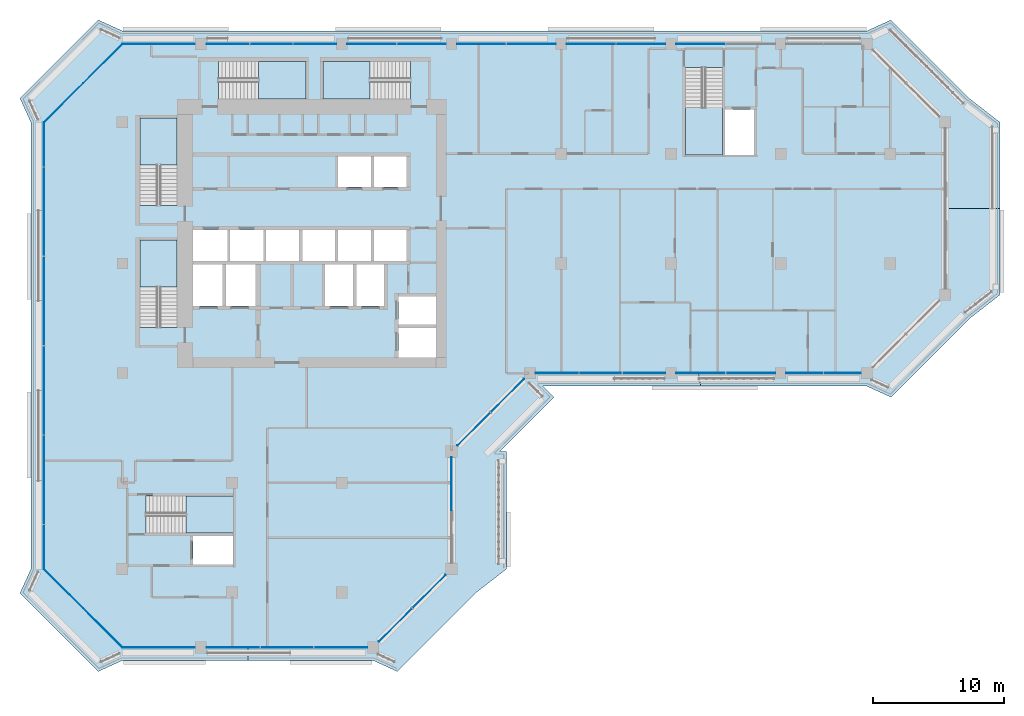
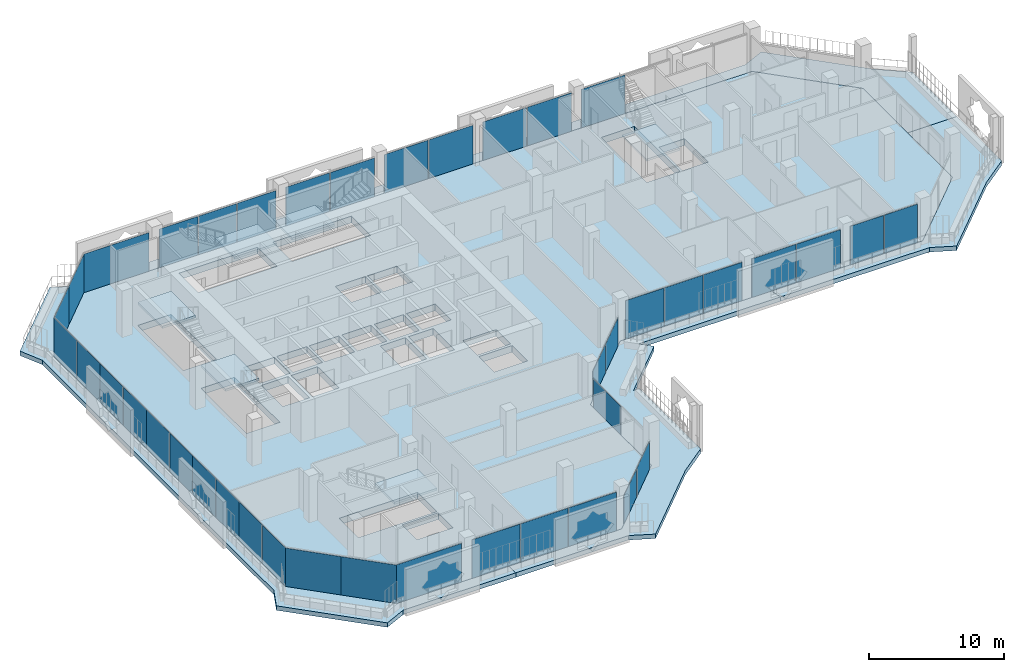
# One storey, part 8 of 21: 41 plates, 10 slabs, 15 elements without a shape of their own.
"""IFC4 building model written with IfcOpenShell, lengths in metres."""

from ifc_helpers import new_model, si_unit, direction, frame, origin, origin_2d, place, context, subcontext, project, spatial, polyline, rectangle, outline, extrude, material, layer, layer_set, type_object, element, aggregate, save


model = new_model("IFC4")

# Units and contexts
model_context = context("Model", 3, precision=1e-05, world=origin(), true_north=direction((0.0, 1.0)))
body_context = subcontext(model_context, "Body", "Model", "MODEL_VIEW")
ifc_project = project(units=[si_unit("LENGTHUNIT", "METRE"), si_unit("AREAUNIT", "SQUARE_METRE"), si_unit("VOLUMEUNIT", "CUBIC_METRE"), si_unit("PLANEANGLEUNIT", "RADIAN"), si_unit("MASSUNIT", "GRAM", prefix="KILO")], contexts=[model_context])

# Site, building, storey
site_placement = place(None, origin())
site = spatial("IfcSite", under=ifc_project, at=site_placement, CompositionType="ELEMENT")
building_placement = place(site_placement, origin())
building = spatial("IfcBuilding", under=site, at=building_placement, Name="Kawkab Arch Medical Tower", CompositionType="ELEMENT")
storey_placement = place(building_placement, frame((0.0, 0.0, 260.0)))
storey = spatial("IfcBuildingStorey", under=building, at=storey_placement, Name="L60", CompositionType="ELEMENT", Elevation=260.0)

# Curtain wall, plates
ifc_material_1 = material(Name="Bronze anodised aluminium curtain wall frame", Category="aluminium")
ifc_layer_1 = layer(ifc_material_1, 0.159912109375)
ifc_layer_set_1 = layer_set([ifc_layer_1], Name="Bronze anodised aluminium curtain wall frame")
curtain_wall_type_1 = type_object("IfcCurtainWallType", Name="CW1 ward curtain wall", PredefinedType="NOTDEFINED", material=ifc_layer_set_1)
placement_1 = place(storey_placement, origin())
curtain_wall_1 = element("IfcCurtainWall", 1, at=placement_1, inside=storey, type_object=curtain_wall_type_1, Name="CW1 Ward curtain wall R01", PredefinedType="NOTDEFINED")
ifc_material_2 = material(Name="Tinted insulating glass, bronze low-e coating", Category="glass")
ifc_layer_2 = layer(ifc_material_2, 0.031982421875)
ifc_layer_set_2 = layer_set([ifc_layer_2], Name="Tinted insulating glass, bronze low-e coating")
plate_type_1 = type_object("IfcPlateType", Name="CW1 glazing unit 32", PredefinedType="CURTAIN_PANEL", material=ifc_layer_set_2)
plate_1_placement = place(storey_placement, frame((-6.0, -7.695068359375, 0.0), z_axis=(0.0, 0.0, 1.0), x_axis=(0.0, -1.0, 0.0)))
plate_1 = element("IfcPlate", 2, at=plate_1_placement, type_object=plate_type_1, Name="CW1 glazing unit 1.1", PredefinedType="CURTAIN_PANEL", context=body_context, shape_type="SweptSolid", body=[
    extrude(rectangle(XDim=3.389892578125, YDim=0.031982421875, at=origin_2d()), origin(), (0.0, 0.0, 1.0), 3.47998046875),
])
plate_2_placement = place(storey_placement, frame((-6.0, -11.14501953125, 0.0), z_axis=(0.0, 0.0, 1.0), x_axis=(0.0, -1.0, 0.0)))
plate_2 = element("IfcPlate", 3, at=plate_2_placement, type_object=plate_type_1, Name="CW1 glazing unit 1.2", PredefinedType="CURTAIN_PANEL", context=body_context, shape_type="SweptSolid", body=[
    extrude(rectangle(XDim=3.389892578125, YDim=0.031982421875, at=origin_2d()), origin(), (0.0, 0.0, 1.0), 3.47998046875),
])
plate_3_placement = place(storey_placement, frame((-6.0, -14.534912109375, 0.0), z_axis=(0.0, 0.0, 1.0), x_axis=(0.0, -1.0, 0.0)))
plate_3 = element("IfcPlate", 4, at=plate_3_placement, type_object=plate_type_1, Name="CW1 glazing unit 2.1", PredefinedType="CURTAIN_PANEL", context=body_context, shape_type="SweptSolid", body=[
    extrude(rectangle(XDim=3.389892578125, YDim=0.031982421875, at=origin_2d()), origin(), (0.0, 0.0, 1.0), 3.47998046875),
])
plate_4_placement = place(storey_placement, frame((-6.0, -17.985107421875, 0.0), z_axis=(0.0, 0.0, 1.0), x_axis=(0.0, -1.0, 0.0)))
plate_4 = element("IfcPlate", 5, at=plate_4_placement, type_object=plate_type_1, Name="CW1 glazing unit 2.2", PredefinedType="CURTAIN_PANEL", context=body_context, shape_type="SweptSolid", body=[
    extrude(rectangle(XDim=3.389892578125, YDim=0.031982421875, at=origin_2d()), origin(), (0.0, 0.0, 1.0), 3.47998046875),
])
plate_5_placement = place(storey_placement, frame((-6.0, -21.375, 0.0), z_axis=(0.0, 0.0, 1.0), x_axis=(0.0, -1.0, 0.0)))
plate_5 = element("IfcPlate", 6, at=plate_5_placement, type_object=plate_type_1, Name="CW1 glazing unit 3.1", PredefinedType="CURTAIN_PANEL", context=body_context, shape_type="SweptSolid", body=[
    extrude(rectangle(XDim=3.389892578125, YDim=0.031982421875, at=origin_2d()), origin(), (0.0, 0.0, 1.0), 3.47998046875),
])
plate_6_placement = place(storey_placement, frame((-6.0, -24.824951171875, 0.0), z_axis=(0.0, 0.0, 1.0), x_axis=(0.0, -1.0, 0.0)))
plate_6 = element("IfcPlate", 7, at=plate_6_placement, type_object=plate_type_1, Name="CW1 glazing unit 3.2", PredefinedType="CURTAIN_PANEL", context=body_context, shape_type="SweptSolid", body=[
    extrude(rectangle(XDim=3.389892578125, YDim=0.031982421875, at=origin_2d()), origin(), (0.0, 0.0, 1.0), 3.47998046875),
])
plate_7_placement = place(storey_placement, frame((-6.0, -28.215087890625, 0.0), z_axis=(0.0, 0.0, 1.0), x_axis=(0.0, -1.0, 0.0)))
plate_7 = element("IfcPlate", 8, at=plate_7_placement, type_object=plate_type_1, Name="CW1 glazing unit 4.1", PredefinedType="CURTAIN_PANEL", context=body_context, shape_type="SweptSolid", body=[
    extrude(rectangle(XDim=3.389892578125, YDim=0.031982421875, at=origin_2d()), origin(), (0.0, 0.0, 1.0), 3.47998046875),
])
plate_8_placement = place(storey_placement, frame((-6.0, -31.6650390625, 0.0), z_axis=(0.0, 0.0, 1.0), x_axis=(0.0, -1.0, 0.0)))
plate_8 = element("IfcPlate", 9, at=plate_8_placement, type_object=plate_type_1, Name="CW1 glazing unit 4.2", PredefinedType="CURTAIN_PANEL", context=body_context, shape_type="SweptSolid", body=[
    extrude(rectangle(XDim=3.389892578125, YDim=0.031982421875, at=origin_2d()), origin(), (0.0, 0.0, 1.0), 3.47998046875),
])
plate_9_placement = place(storey_placement, frame((-6.0, -35.054931640625, 0.0), z_axis=(0.0, 0.0, 1.0), x_axis=(0.0, -1.0, 0.0)))
plate_9 = element("IfcPlate", 10, at=plate_9_placement, type_object=plate_type_1, Name="CW1 glazing unit 5.1", PredefinedType="CURTAIN_PANEL", context=body_context, shape_type="SweptSolid", body=[
    extrude(rectangle(XDim=3.389892578125, YDim=0.031982421875, at=origin_2d()), origin(), (0.0, 0.0, 1.0), 3.47998046875),
])
plate_10_placement = place(storey_placement, frame((-6.0, -38.5048828125, 0.0), z_axis=(0.0, 0.0, 1.0), x_axis=(0.0, -1.0, 0.0)))
plate_10 = element("IfcPlate", 11, at=plate_10_placement, type_object=plate_type_1, Name="CW1 glazing unit 5.2", PredefinedType="CURTAIN_PANEL", context=body_context, shape_type="SweptSolid", body=[
    extrude(rectangle(XDim=3.389892578125, YDim=0.031982421875, at=origin_2d()), origin(), (0.0, 0.0, 1.0), 3.47998046875),
])
aggregate(curtain_wall_1, [plate_1, plate_2, plate_3, plate_4, plate_5, plate_6, plate_7, plate_8, plate_9, plate_10])

curtain_wall_2 = element("IfcCurtainWall", 12, at=placement_1, inside=storey, type_object=curtain_wall_type_1, Name="CW1 Ward curtain wall R03", PredefinedType="NOTDEFINED")
plate_11_placement = place(storey_placement, frame((2.77490234375, -46.199951171875, 0.0), z_axis=(0.0, 0.0, 1.0), x_axis=(1.0, 0.0, 0.0)))
plate_11 = element("IfcPlate", 13, at=plate_11_placement, type_object=plate_type_1, Name="CW1 glazing unit 1.1", PredefinedType="CURTAIN_PANEL", context=body_context, shape_type="SweptSolid", body=[
    extrude(rectangle(XDim=5.550048828125, YDim=0.031982421875, at=origin_2d()), origin(), (0.0, 0.0, 1.0), 3.47998046875),
])
plate_12_placement = place(storey_placement, frame((8.485107421875, -46.199951171875, 0.0), z_axis=(0.0, 0.0, 1.0), x_axis=(1.0, 0.0, 0.0)))
plate_12 = element("IfcPlate", 14, at=plate_12_placement, type_object=plate_type_1, Name="CW1 glazing unit 2.1", PredefinedType="CURTAIN_PANEL", context=body_context, shape_type="SweptSolid", body=[
    extrude(rectangle(XDim=4.070068359375, YDim=0.031982421875, at=origin_2d()), origin(), (0.0, 0.0, 1.0), 3.47998046875),
])
plate_13_placement = place(storey_placement, frame((12.60009765625, -46.199951171875, 0.0), z_axis=(0.0, 0.0, 1.0), x_axis=(1.0, 0.0, 0.0)))
plate_13 = element("IfcPlate", 15, at=plate_13_placement, type_object=plate_type_1, Name="CW1 glazing unit 2.2", PredefinedType="CURTAIN_PANEL", context=body_context, shape_type="SweptSolid", body=[
    extrude(rectangle(XDim=4.0400390625, YDim=0.031982421875, at=origin_2d()), origin(), (0.0, 0.0, 1.0), 3.47998046875),
])
plate_14_placement = place(storey_placement, frame((16.715087890625, -46.199951171875, 0.0), z_axis=(0.0, 0.0, 1.0), x_axis=(1.0, 0.0, 0.0)))
plate_14 = element("IfcPlate", 16, at=plate_14_placement, type_object=plate_type_1, Name="CW1 glazing unit 2.3", PredefinedType="CURTAIN_PANEL", context=body_context, shape_type="SweptSolid", body=[
    extrude(rectangle(XDim=4.070068359375, YDim=0.031982421875, at=origin_2d()), origin(), (0.0, 0.0, 1.0), 3.47998046875),
])
aggregate(curtain_wall_2, [plate_11, plate_12, plate_13, plate_14])

# Curtain wall, plate
curtain_wall_3 = element("IfcCurtainWall", 17, at=placement_1, inside=storey, type_object=curtain_wall_type_1, Name="CW1 Ward curtain wall R05", PredefinedType="NOTDEFINED")
plate_15_placement = place(storey_placement, frame((25.199951171875, -33.675048828125, 0.0), z_axis=(0.0, 0.0, 1.0), x_axis=(0.0, 1.0, 0.0)))
plate_15 = element("IfcPlate", 18, at=plate_15_placement, type_object=plate_type_1, Name="CW1 glazing unit 1.2", PredefinedType="CURTAIN_PANEL", context=body_context, shape_type="SweptSolid", body=[
    extrude(rectangle(XDim=4.050048828125, YDim=0.031982421875, at=origin_2d()), origin(), (0.0, 0.0, 1.0), 2.580078125),
])
aggregate(curtain_wall_3, [plate_15])

# Curtain wall, plates
curtain_wall_4 = element("IfcCurtainWall", 19, at=placement_1, inside=storey, type_object=curtain_wall_type_1, Name="CW1 Ward curtain wall R07", PredefinedType="NOTDEFINED")
plate_16_placement = place(storey_placement, frame((33.2890625, -25.199951171875, 0.0), z_axis=(0.0, 0.0, 1.0), x_axis=(1.0, 0.0, 0.0)))
plate_16 = element("IfcPlate", 20, at=plate_16_placement, type_object=plate_type_1, Name="CW1 glazing unit 1.1", PredefinedType="CURTAIN_PANEL", context=body_context, shape_type="SweptSolid", body=[
    extrude(rectangle(XDim=3.2783203125, YDim=0.031982421875, at=origin_2d()), origin(), (0.0, 0.0, 1.0), 3.47998046875),
])
plate_17_placement = place(storey_placement, frame((36.612548828125, -25.199951171875, 0.0), z_axis=(0.0, 0.0, 1.0), x_axis=(1.0, 0.0, 0.0)))
plate_17 = element("IfcPlate", 21, at=plate_17_placement, type_object=plate_type_1, Name="CW1 glazing unit 1.2", PredefinedType="CURTAIN_PANEL", context=body_context, shape_type="SweptSolid", body=[
    extrude(rectangle(XDim=3.248291015625, YDim=0.031982421875, at=origin_2d()), origin(), (0.0, 0.0, 1.0), 3.47998046875),
])
plate_18_placement = place(storey_placement, frame((39.935791015625, -25.199951171875, 0.0), z_axis=(0.0, 0.0, 1.0), x_axis=(1.0, 0.0, 0.0)))
plate_18 = element("IfcPlate", 22, at=plate_18_placement, type_object=plate_type_1, Name="CW1 glazing unit 1.3", PredefinedType="CURTAIN_PANEL", context=body_context, shape_type="SweptSolid", body=[
    extrude(rectangle(XDim=3.2783203125, YDim=0.031982421875, at=origin_2d()), origin(), (0.0, 0.0, 1.0), 3.47998046875),
])
plate_19_placement = place(storey_placement, frame((44.297607421875, -25.199951171875, 0.0), z_axis=(0.0, 0.0, 1.0), x_axis=(1.0, 0.0, 0.0)))
plate_19 = element("IfcPlate", 23, at=plate_19_placement, type_object=plate_type_1, Name="CW1 glazing unit 2.1", PredefinedType="CURTAIN_PANEL", context=body_context, shape_type="SweptSolid", body=[
    extrude(rectangle(XDim=3.7451171875, YDim=0.031982421875, at=origin_2d()), origin(), (0.0, 0.0, 1.0), 3.47998046875),
])
plate_20_placement = place(storey_placement, frame((48.1025390625, -25.199951171875, 0.0), z_axis=(0.0, 0.0, 1.0), x_axis=(1.0, 0.0, 0.0)))
plate_20 = element("IfcPlate", 24, at=plate_20_placement, type_object=plate_type_1, Name="CW1 glazing unit 2.2", PredefinedType="CURTAIN_PANEL", context=body_context, shape_type="SweptSolid", body=[
    extrude(rectangle(XDim=3.7451171875, YDim=0.031982421875, at=origin_2d()), origin(), (0.0, 0.0, 1.0), 3.47998046875),
])
plate_21_placement = place(storey_placement, frame((52.2412109375, -25.199951171875, 0.0), z_axis=(0.0, 0.0, 1.0), x_axis=(1.0, 0.0, 0.0)))
plate_21 = element("IfcPlate", 25, at=plate_21_placement, type_object=plate_type_1, Name="CW1 glazing unit 3.1", PredefinedType="CURTAIN_PANEL", context=body_context, shape_type="SweptSolid", body=[
    extrude(rectangle(XDim=2.83251953125, YDim=0.031982421875, at=origin_2d()), origin(), (0.0, 0.0, 1.0), 3.47998046875),
])
plate_22_placement = place(storey_placement, frame((55.1337890625, -25.199951171875, 0.0), z_axis=(0.0, 0.0, 1.0), x_axis=(1.0, 0.0, 0.0)))
plate_22 = element("IfcPlate", 26, at=plate_22_placement, type_object=plate_type_1, Name="CW1 glazing unit 3.2", PredefinedType="CURTAIN_PANEL", context=body_context, shape_type="SweptSolid", body=[
    extrude(rectangle(XDim=2.83251953125, YDim=0.031982421875, at=origin_2d()), origin(), (0.0, 0.0, 1.0), 3.47998046875),
])
aggregate(curtain_wall_4, [plate_16, plate_17, plate_18, plate_19, plate_20, plate_21, plate_22])

curtain_wall_5 = element("IfcCurtainWall", 27, at=placement_1, inside=storey, type_object=curtain_wall_type_1, Name="CW1 Ward curtain wall R11", PredefinedType="NOTDEFINED")
plate_23_placement = place(storey_placement, frame((44.297607421875, 0.0, 0.0), z_axis=(0.0, 0.0, 1.0), x_axis=(-1.0, 0.0, 0.0)))
plate_23 = element("IfcPlate", 28, at=plate_23_placement, type_object=plate_type_1, Name="CW1 glazing unit 2.2", PredefinedType="CURTAIN_PANEL", context=body_context, shape_type="SweptSolid", body=[
    extrude(rectangle(XDim=3.7451171875, YDim=0.031982421875, at=origin_2d()), origin(), (0.0, 0.0, 1.0), 3.47998046875),
])
plate_24_placement = place(storey_placement, frame((39.702392578125, 0.0, 0.0), z_axis=(0.0, 0.0, 1.0), x_axis=(-1.0, 0.0, 0.0)))
plate_24 = element("IfcPlate", 29, at=plate_24_placement, type_object=plate_type_1, Name="CW1 glazing unit 3.1", PredefinedType="CURTAIN_PANEL", context=body_context, shape_type="SweptSolid", body=[
    extrude(rectangle(XDim=3.7451171875, YDim=0.031982421875, at=origin_2d()), origin(), (0.0, 0.0, 1.0), 3.47998046875),
])
plate_25_placement = place(storey_placement, frame((35.8974609375, 0.0, 0.0), z_axis=(0.0, 0.0, 1.0), x_axis=(-1.0, 0.0, 0.0)))
plate_25 = element("IfcPlate", 30, at=plate_25_placement, type_object=plate_type_1, Name="CW1 glazing unit 3.2", PredefinedType="CURTAIN_PANEL", context=body_context, shape_type="SweptSolid", body=[
    extrude(rectangle(XDim=3.7451171875, YDim=0.031982421875, at=origin_2d()), origin(), (0.0, 0.0, 1.0), 3.47998046875),
])
plate_26_placement = place(storey_placement, frame((31.302490234375, 0.0, 0.0), z_axis=(0.0, 0.0, 1.0), x_axis=(-1.0, 0.0, 0.0)))
plate_26 = element("IfcPlate", 31, at=plate_26_placement, type_object=plate_type_1, Name="CW1 glazing unit 4.1", PredefinedType="CURTAIN_PANEL", context=body_context, shape_type="SweptSolid", body=[
    extrude(rectangle(XDim=3.7451171875, YDim=0.031982421875, at=origin_2d()), origin(), (0.0, 0.0, 1.0), 3.47998046875),
])
plate_27_placement = place(storey_placement, frame((27.49755859375, 0.0, 0.0), z_axis=(0.0, 0.0, 1.0), x_axis=(-1.0, 0.0, 0.0)))
plate_27 = element("IfcPlate", 32, at=plate_27_placement, type_object=plate_type_1, Name="CW1 glazing unit 4.2", PredefinedType="CURTAIN_PANEL", context=body_context, shape_type="SweptSolid", body=[
    extrude(rectangle(XDim=3.7451171875, YDim=0.031982421875, at=origin_2d()), origin(), (0.0, 0.0, 1.0), 3.47998046875),
])
plate_28_placement = place(storey_placement, frame((22.902587890625, 0.0, 0.0), z_axis=(0.0, 0.0, 1.0), x_axis=(-1.0, 0.0, 0.0)))
plate_28 = element("IfcPlate", 33, at=plate_28_placement, type_object=plate_type_1, Name="CW1 glazing unit 5.1", PredefinedType="CURTAIN_PANEL", context=body_context, shape_type="SweptSolid", body=[
    extrude(rectangle(XDim=3.7451171875, YDim=0.031982421875, at=origin_2d()), origin(), (0.0, 0.0, 1.0), 3.47998046875),
])
plate_29_placement = place(storey_placement, frame((19.097412109375, 0.0, 0.0), z_axis=(0.0, 0.0, 1.0), x_axis=(-1.0, 0.0, 0.0)))
plate_29 = element("IfcPlate", 34, at=plate_29_placement, type_object=plate_type_1, Name="CW1 glazing unit 5.2", PredefinedType="CURTAIN_PANEL", context=body_context, shape_type="SweptSolid", body=[
    extrude(rectangle(XDim=3.7451171875, YDim=0.031982421875, at=origin_2d()), origin(), (0.0, 0.0, 1.0), 3.47998046875),
])
plate_30_placement = place(storey_placement, frame((14.73583984375, 0.0, 0.0), z_axis=(0.0, 0.0, 1.0), x_axis=(-1.0, 0.0, 0.0)))
plate_30 = element("IfcPlate", 35, at=plate_30_placement, type_object=plate_type_1, Name="CW1 glazing unit 6.1", PredefinedType="CURTAIN_PANEL", context=body_context, shape_type="SweptSolid", body=[
    extrude(rectangle(XDim=3.2783203125, YDim=0.031982421875, at=origin_2d()), origin(), (0.0, 0.0, 1.0), 3.47998046875),
])
plate_31_placement = place(storey_placement, frame((11.41259765625, 0.0, 0.0), z_axis=(0.0, 0.0, 1.0), x_axis=(-1.0, 0.0, 0.0)))
plate_31 = element("IfcPlate", 36, at=plate_31_placement, type_object=plate_type_1, Name="CW1 glazing unit 6.2", PredefinedType="CURTAIN_PANEL", context=body_context, shape_type="SweptSolid", body=[
    extrude(rectangle(XDim=3.248291015625, YDim=0.031982421875, at=origin_2d()), origin(), (0.0, 0.0, 1.0), 3.47998046875),
])
plate_32_placement = place(storey_placement, frame((8.089111328125, 0.0, 0.0), z_axis=(0.0, 0.0, 1.0), x_axis=(-1.0, 0.0, 0.0)))
plate_32 = element("IfcPlate", 37, at=plate_32_placement, type_object=plate_type_1, Name="CW1 glazing unit 6.3", PredefinedType="CURTAIN_PANEL", context=body_context, shape_type="SweptSolid", body=[
    extrude(rectangle(XDim=3.2783203125, YDim=0.031982421875, at=origin_2d()), origin(), (0.0, 0.0, 1.0), 3.47998046875),
])
plate_33_placement = place(storey_placement, frame((2.77490234375, 0.0, 0.0), z_axis=(0.0, 0.0, 1.0), x_axis=(-1.0, 0.0, 0.0)))
plate_33 = element("IfcPlate", 38, at=plate_33_placement, type_object=plate_type_1, Name="CW1 glazing unit 7.1", PredefinedType="CURTAIN_PANEL", context=body_context, shape_type="SweptSolid", body=[
    extrude(rectangle(XDim=5.550048828125, YDim=0.031982421875, at=origin_2d()), origin(), (0.0, 0.0, 1.0), 3.47998046875),
])
aggregate(curtain_wall_5, [plate_23, plate_24, plate_25, plate_26, plate_27, plate_28, plate_29, plate_30, plate_31, plate_32, plate_33])

ifc_material_3 = material(Name="Bronze anodised aluminium curtain wall frame", Category="aluminium")
ifc_layer_3 = layer(ifc_material_3, 0.159912109375)
ifc_layer_set_3 = layer_set([ifc_layer_3], Name="Bronze anodised aluminium curtain wall frame")
curtain_wall_type_2 = type_object("IfcCurtainWallType", Name="CW2 chamfer curtain wall", PredefinedType="NOTDEFINED", material=ifc_layer_set_3)
curtain_wall_6 = element("IfcCurtainWall", 39, at=placement_1, inside=storey, type_object=curtain_wall_type_2, Name="CW2 Chamfer curtain wall R02", PredefinedType="NOTDEFINED")
ifc_material_4 = material(Name="Tinted insulating glass, bronze low-e coating", Category="glass")
ifc_layer_4 = layer(ifc_material_4, 0.031982421875)
ifc_layer_set_4 = layer_set([ifc_layer_4], Name="Tinted insulating glass, bronze low-e coating")
plate_type_2 = type_object("IfcPlateType", Name="CW2 glazing unit 32", PredefinedType="CURTAIN_PANEL", material=ifc_layer_set_4)
plate_34_placement = place(storey_placement, frame((-4.5, -41.699951171875, 0.0), z_axis=(0.0, 0.0, 1.0), x_axis=(0.707106781187, -0.707106781187, 0.0)))
plate_34 = element("IfcPlate", 40, at=plate_34_placement, type_object=plate_type_2, Name="CW2 glazing unit 1.1", PredefinedType="CURTAIN_PANEL", context=body_context, shape_type="SweptSolid", body=[
    extrude(rectangle(XDim=4.24267578125, YDim=0.031982421875, at=origin_2d()), origin(), (0.0, 0.0, 1.0), 3.4599609375),
])
plate_35_placement = place(storey_placement, frame((-1.5, -44.699951171875, 0.0), z_axis=(0.0, 0.0, 1.0), x_axis=(0.707106781187, -0.707106781187, 0.0)))
plate_35 = element("IfcPlate", 41, at=plate_35_placement, type_object=plate_type_2, Name="CW2 glazing unit 2.1", PredefinedType="CURTAIN_PANEL", context=body_context, shape_type="SweptSolid", body=[
    extrude(rectangle(XDim=4.24267578125, YDim=0.031982421875, at=origin_2d()), origin(), (0.0, 0.0, 1.0), 3.4599609375),
])
aggregate(curtain_wall_6, [plate_34, plate_35])

curtain_wall_7 = element("IfcCurtainWall", 42, at=placement_1, inside=storey, type_object=curtain_wall_type_2, Name="CW2 Chamfer curtain wall R04", PredefinedType="NOTDEFINED")
plate_36_placement = place(storey_placement, frame((20.914306640625, -44.485595703125, 0.0), z_axis=(0.0, 0.0, 1.0), x_axis=(0.707106781187, 0.707106781187, 0.0)))
plate_36 = element("IfcPlate", 43, at=plate_36_placement, type_object=plate_type_2, Name="CW2 glazing unit 1.1", PredefinedType="CURTAIN_PANEL", context=body_context, shape_type="SweptSolid", body=[
    extrude(rectangle(XDim=3.576171875, YDim=0.031982421875, at=origin_2d()), origin(), (0.0, 0.0, 1.0), 2.56005859375),
])
plate_37_placement = place(storey_placement, frame((23.485595703125, -41.914306640625, 0.0), z_axis=(0.0, 0.0, 1.0), x_axis=(0.707106781187, 0.707106781187, 0.0)))
plate_37 = element("IfcPlate", 44, at=plate_37_placement, type_object=plate_type_2, Name="CW2 glazing unit 1.2", PredefinedType="CURTAIN_PANEL", context=body_context, shape_type="SweptSolid", body=[
    extrude(rectangle(XDim=3.576171875, YDim=0.031982421875, at=origin_2d()), origin(), (0.0, 0.0, 1.0), 2.56005859375),
])
aggregate(curtain_wall_7, [plate_36, plate_37])

curtain_wall_8 = element("IfcCurtainWall", 45, at=placement_1, inside=storey, type_object=curtain_wall_type_2, Name="CW2 Chamfer curtain wall R06", PredefinedType="NOTDEFINED")
plate_38_placement = place(storey_placement, frame((26.914306640625, -29.485595703125, 0.0), z_axis=(0.0, 0.0, 1.0), x_axis=(0.707106781187, 0.707106781187, 0.0)))
plate_38 = element("IfcPlate", 46, at=plate_38_placement, type_object=plate_type_2, Name="CW2 glazing unit 1.1", PredefinedType="CURTAIN_PANEL", context=body_context, shape_type="SweptSolid", body=[
    extrude(rectangle(XDim=3.576171875, YDim=0.031982421875, at=origin_2d()), origin(), (0.0, 0.0, 1.0), 2.56005859375),
])
plate_39_placement = place(storey_placement, frame((29.485595703125, -26.914306640625, 0.0), z_axis=(0.0, 0.0, 1.0), x_axis=(0.707106781187, 0.707106781187, 0.0)))
plate_39 = element("IfcPlate", 47, at=plate_39_placement, type_object=plate_type_2, Name="CW2 glazing unit 1.2", PredefinedType="CURTAIN_PANEL", context=body_context, shape_type="SweptSolid", body=[
    extrude(rectangle(XDim=3.576171875, YDim=0.031982421875, at=origin_2d()), origin(), (0.0, 0.0, 1.0), 2.56005859375),
])
aggregate(curtain_wall_8, [plate_38, plate_39])

curtain_wall_9 = element("IfcCurtainWall", 48, at=placement_1, inside=storey, type_object=curtain_wall_type_2, Name="CW2 Chamfer curtain wall R12", PredefinedType="NOTDEFINED")
plate_40_placement = place(storey_placement, frame((-1.5, -1.5, 0.0), z_axis=(0.0, 0.0, 1.0), x_axis=(-0.707106781187, -0.707106781187, 0.0)))
plate_40 = element("IfcPlate", 49, at=plate_40_placement, type_object=plate_type_2, Name="CW2 glazing unit 1.1", PredefinedType="CURTAIN_PANEL", context=body_context, shape_type="SweptSolid", body=[
    extrude(rectangle(XDim=4.24267578125, YDim=0.031982421875, at=origin_2d()), origin(), (0.0, 0.0, 1.0), 3.4599609375),
])
plate_41_placement = place(storey_placement, frame((-4.5, -4.5, 0.0), z_axis=(0.0, 0.0, 1.0), x_axis=(-0.707106781187, -0.707106781187, 0.0)))
plate_41 = element("IfcPlate", 50, at=plate_41_placement, type_object=plate_type_2, Name="CW2 glazing unit 2.1", PredefinedType="CURTAIN_PANEL", context=body_context, shape_type="SweptSolid", body=[
    extrude(rectangle(XDim=4.24267578125, YDim=0.031982421875, at=origin_2d()), origin(), (0.0, 0.0, 1.0), 3.4599609375),
])
aggregate(curtain_wall_9, [plate_40, plate_41])

# Stair, slab
ifc_material_5 = material(Name="Concrete C40/50", Category="concrete")
stair_type = type_object("IfcStairType", Name="Exit stair 1350", PredefinedType="HALF_TURN_STAIR", material=ifc_material_5)
stair_1 = element("IfcStair", 51, at=placement_1, inside=storey, type_object=stair_type, Name="L60 Exit stair ST1", PredefinedType="HALF_TURN_STAIR")
ifc_material_6 = material(Name="Concrete C40/50", Category="concrete")
ifc_layer_5 = layer(ifc_material_6, 0.199951171875)
ifc_layer_set_5 = layer_set([ifc_layer_5], Name="Concrete C40/50")
slab_type_1 = type_object("IfcSlabType", Name="Exit stair landing 200", PredefinedType="LANDING", material=ifc_layer_set_5)
placement_2 = place(storey_placement, frame((0.0, 0.0, 1.89990234375)))
slab_1 = element("IfcSlab", 52, at=placement_2, type_object=slab_type_1, Name="ST1 landing 1", PredefinedType="LANDING", context=body_context, shape_type="SweptSolid", body=[
    extrude(outline(polyline([(4.199951171875, -9.27001953125), (4.199951171875, -5.64990234375), (1.35009765625, -5.64990234375), (1.35009765625, -9.27001953125), (4.199951171875, -9.27001953125)])), origin(), (0.0, 0.0, 1.0), 0.2001953125),
])
aggregate(stair_1, [slab_1])

stair_2 = element("IfcStair", 53, at=placement_1, inside=storey, type_object=stair_type, Name="L60 Exit stair ST2", PredefinedType="HALF_TURN_STAIR")
slab_2 = element("IfcSlab", 54, at=placement_2, type_object=slab_type_1, Name="ST2 landing 1", PredefinedType="LANDING", context=body_context, shape_type="SweptSolid", body=[
    extrude(outline(polyline([(4.199951171875, -18.6201171875), (4.199951171875, -15.0), (1.35009765625, -15.0), (1.35009765625, -18.6201171875), (4.199951171875, -18.6201171875)])), origin(), (0.0, 0.0, 1.0), 0.2001953125),
])
aggregate(stair_2, [slab_2])

stair_3 = element("IfcStair", 55, at=placement_1, inside=storey, type_object=stair_type, Name="L60 Exit stair ST3", PredefinedType="HALF_TURN_STAIR")
slab_3 = element("IfcSlab", 56, at=placement_2, type_object=slab_type_1, Name="ST3 landing 1", PredefinedType="LANDING", context=body_context, shape_type="SweptSolid", body=[
    extrude(outline(polyline([(10.429931640625, -4.199951171875), (14.050048828125, -4.199951171875), (14.050048828125, -1.35009765625), (10.429931640625, -1.35009765625), (10.429931640625, -4.199951171875)])), origin(), (0.0, 0.0, 1.0), 0.2001953125),
])
aggregate(stair_3, [slab_3])

stair_4 = element("IfcStair", 57, at=placement_1, inside=storey, type_object=stair_type, Name="L60 Exit stair ST4", PredefinedType="HALF_TURN_STAIR")
slab_4 = element("IfcSlab", 58, at=placement_2, type_object=slab_type_1, Name="ST4 landing 1", PredefinedType="LANDING", context=body_context, shape_type="SweptSolid", body=[
    extrude(outline(polyline([(18.969970703125, -1.35009765625), (15.35009765625, -1.35009765625), (15.35009765625, -4.199951171875), (18.969970703125, -4.199951171875), (18.969970703125, -1.35009765625)])), origin(), (0.0, 0.0, 1.0), 0.2001953125),
])
aggregate(stair_4, [slab_4])

stair_5 = element("IfcStair", 59, at=placement_1, inside=storey, type_object=stair_type, Name="L60 Exit stair ST5", PredefinedType="HALF_TURN_STAIR")
slab_5 = element("IfcSlab", 60, at=placement_2, type_object=slab_type_1, Name="ST5 landing 1", PredefinedType="LANDING", context=body_context, shape_type="SweptSolid", body=[
    extrude(outline(polyline([(43.10009765625, -4.8798828125), (43.10009765625, -8.5), (45.949951171875, -8.5), (45.949951171875, -4.8798828125), (43.10009765625, -4.8798828125)])), origin(), (0.0, 0.0, 1.0), 0.2001953125),
])
aggregate(stair_5, [slab_5])

stair_6 = element("IfcStair", 61, at=placement_1, inside=storey, type_object=stair_type, Name="L60 Exit stair ST6", PredefinedType="HALF_TURN_STAIR")
slab_6 = element("IfcSlab", 62, at=placement_2, type_object=slab_type_1, Name="ST6 landing 1", PredefinedType="LANDING", context=body_context, shape_type="SweptSolid", body=[
    extrude(outline(polyline([(4.8798828125, -37.449951171875), (8.5, -37.449951171875), (8.5, -34.60009765625), (4.8798828125, -34.60009765625), (4.8798828125, -37.449951171875)])), origin(), (0.0, 0.0, 1.0), 0.2001953125),
])
aggregate(stair_6, [slab_6])

# Slabs
ifc_material_7 = material(Name="Concrete C45/55", Category="concrete")
ifc_layer_6 = layer(ifc_material_7, 0.60009765625)
ifc_layer_set_6 = layer_set([ifc_layer_6], Name="Concrete C45/55")
slab_type_2 = type_object("IfcSlabType", Name="Flat plate 600 C45/55", PredefinedType="FLOOR", material=ifc_layer_set_6)
slab_7_placement = place(storey_placement, frame((0.0, 0.0, -0.60009765625)))
element("IfcSlab", 63, at=slab_7_placement, inside=storey, type_object=slab_type_2, Name="Floor slab L60", PredefinedType="FLOOR", context=body_context, shape_type="SweptSolid", body=[
    extrude(outline(polyline([(0.0, 0.0), (57.0, 0.0), (63.0, -6.0), (63.0, -19.199951171875), (57.0, -25.199951171875), (31.199951171875, -25.199951171875), (25.199951171875, -31.199951171875), (25.199951171875, -40.199951171875), (19.199951171875, -46.199951171875), (0.0, -46.199951171875), (-6.0, -40.199951171875), (-6.0, -6.0), (0.0, 0.0)]), holes=[polyline([(5.425048828125, -37.64990234375), (5.425048828125, -39.85009765625), (8.5, -39.85009765625), (8.5, -37.64990234375), (5.425048828125, -37.64990234375)]), polyline([(8.5, -37.449951171875), (8.5, -34.60009765625), (1.800048828125, -34.60009765625), (1.800048828125, -37.449951171875), (8.5, -37.449951171875)]), polyline([(5.39990234375, -20.050048828125), (7.675048828125, -20.050048828125), (7.675048828125, -16.89990234375), (5.39990234375, -16.89990234375), (5.39990234375, -20.050048828125)]), polyline([(10.199951171875, -20.050048828125), (10.199951171875, -16.89990234375), (7.925048828125, -16.89990234375), (7.925048828125, -20.050048828125), (10.199951171875, -20.050048828125)]), polyline([(4.199951171875, -21.699951171875), (4.199951171875, -15.0), (1.35009765625, -15.0), (1.35009765625, -21.699951171875), (4.199951171875, -21.699951171875)]), polyline([(5.39990234375, -16.60009765625), (8.050048828125, -16.60009765625), (8.050048828125, -14.25), (5.39990234375, -14.25), (5.39990234375, -16.60009765625)]), polyline([(8.25, -14.25), (8.25, -16.60009765625), (10.800048828125, -16.60009765625), (10.800048828125, -14.25), (8.25, -14.25)]), polyline([(11.0, -14.25), (11.0, -16.60009765625), (13.52490234375, -16.60009765625), (13.52490234375, -14.25), (11.0, -14.25)]), polyline([(16.27490234375, -14.25), (13.77490234375, -14.25), (13.77490234375, -16.60009765625), (16.27490234375, -16.60009765625), (16.27490234375, -14.25)]), polyline([(4.199951171875, -12.35009765625), (4.199951171875, -5.64990234375), (1.35009765625, -5.64990234375), (1.35009765625, -12.35009765625), (4.199951171875, -12.35009765625)]), polyline([(7.35009765625, -4.199951171875), (14.050048828125, -4.199951171875), (14.050048828125, -1.35009765625), (7.35009765625, -1.35009765625), (7.35009765625, -4.199951171875)]), polyline([(24.0, -21.72509765625), (21.14990234375, -21.72509765625), (21.14990234375, -24.0), (24.0, -24.0), (24.0, -21.72509765625)]), polyline([(24.0, -19.35009765625), (21.14990234375, -19.35009765625), (21.14990234375, -21.47509765625), (24.0, -21.47509765625), (24.0, -19.35009765625)]), polyline([(17.675048828125, -16.89990234375), (15.52490234375, -16.89990234375), (15.52490234375, -20.050048828125), (17.675048828125, -20.050048828125), (17.675048828125, -16.89990234375)]), polyline([(20.050048828125, -16.89990234375), (17.925048828125, -16.89990234375), (17.925048828125, -20.050048828125), (20.050048828125, -20.050048828125), (20.050048828125, -16.89990234375)]), polyline([(16.52490234375, -16.60009765625), (19.02490234375, -16.60009765625), (19.02490234375, -14.25), (16.52490234375, -14.25), (16.52490234375, -16.60009765625)]), polyline([(21.75, -16.60009765625), (21.75, -14.25), (19.27490234375, -14.25), (19.27490234375, -16.60009765625), (21.75, -16.60009765625)]), polyline([(19.050048828125, -10.949951171875), (19.050048828125, -8.60009765625), (16.5, -8.60009765625), (16.5, -10.949951171875), (19.050048828125, -10.949951171875)]), polyline([(21.75, -10.949951171875), (21.75, -8.60009765625), (19.25, -8.60009765625), (19.25, -10.949951171875), (21.75, -10.949951171875)]), polyline([(46.14990234375, -8.5), (48.35009765625, -8.5), (48.35009765625, -5.02490234375), (46.14990234375, -5.02490234375), (46.14990234375, -8.5)]), polyline([(43.10009765625, -1.800048828125), (43.10009765625, -8.5), (45.949951171875, -8.5), (45.949951171875, -1.800048828125), (43.10009765625, -1.800048828125)]), polyline([(22.050048828125, -1.35009765625), (15.35009765625, -1.35009765625), (15.35009765625, -4.199951171875), (22.050048828125, -4.199951171875), (22.050048828125, -1.35009765625)])]), origin(), (0.0, 0.0, 1.0), 0.60009765625),
])
ifc_material_8 = material(Name="Concrete C40/50", Category="concrete")
ifc_layer_7 = layer(ifc_material_8, 0.39990234375)
ifc_layer_set_7 = layer_set([ifc_layer_7], Name="Concrete C40/50")
slab_type_3 = type_object("IfcSlabType", Name="Loggia slab 400", PredefinedType="FLOOR", material=ifc_layer_set_7)
placement_3 = place(storey_placement, frame((0.0, 0.0, -0.39990234375)))
element("IfcSlab", 64, at=placement_3, inside=storey, type_object=slab_type_3, Name="Loggia slab L60.1", PredefinedType="FLOOR", context=body_context, shape_type="SweptSolid", body=[
    extrude(outline(polyline([(9.60009765625, -46.200927734375), (19.199951171875, -46.200927734375), (19.199951171875, -46.199951171875), (25.199951171875, -40.199951171875), (25.199951171875, -31.199951171875), (31.199951171875, -25.199951171875), (44.10009765625, -25.199951171875), (44.2880859375, -26.199951171875), (32.198974609375, -26.199951171875), (33.037109375, -27.0380859375), (28.8759765625, -31.199951171875), (29.39990234375, -31.199951171875), (29.39990234375, -40.199951171875), (27.0380859375, -42.0380859375), (21.0380859375, -48.0380859375), (19.199951171875, -47.199951171875), (9.60009765625, -47.199951171875), (9.60009765625, -46.200927734375)])), origin(), (0.0, 0.0, 1.0), 0.39990234375),
])
element("IfcSlab", 65, at=placement_3, inside=storey, type_object=slab_type_3, Name="Loggia slab L60.2", PredefinedType="FLOOR", context=body_context, shape_type="SweptSolid", body=[
    extrude(outline(polyline([(64.837890625, -21.0380859375), (58.837890625, -27.0380859375), (57.0, -26.199951171875), (44.2890625, -26.199951171875), (44.10009765625, -25.199951171875), (57.0, -25.199951171875), (63.0, -19.199951171875), (63.0009765625, -19.199951171875), (63.0009765625, -12.60009765625), (67.199951171875, -12.60009765625), (67.199951171875, -19.199951171875), (64.837890625, -21.0380859375)])), origin(), (0.0, 0.0, 1.0), 0.39990234375),
])
element("IfcSlab", 66, at=placement_3, inside=storey, type_object=slab_type_3, Name="Loggia slab L60.4", PredefinedType="FLOOR", context=body_context, shape_type="SweptSolid", body=[
    extrude(outline(polyline([(-7.837890625, -42.037109375), (-7.0, -40.199951171875), (-7.0, -6.0), (-7.837890625, -4.1630859375), (-1.8369140625, 1.837890625), (0.0, 1.0), (57.0, 1.0), (58.8369140625, 1.837890625), (64.837890625, -4.162109375), (67.198974609375, -5.9990234375), (67.198974609375, -6.0009765625), (67.199951171875, -6.0009765625), (67.199951171875, -12.59912109375), (67.198974609375, -12.59912109375), (67.198974609375, -12.60009765625), (63.001953125, -12.60009765625), (63.001953125, -12.59912109375), (63.0009765625, -12.59912109375), (63.0009765625, -6.0), (57.0, 0.0009765625), (0.0, 0.0009765625), (-6.0, -6.0), (-6.0, -40.199951171875), (0.0, -46.200927734375), (9.59912109375, -46.200927734375), (9.59912109375, -46.201904296875), (9.60009765625, -46.201904296875), (9.60009765625, -47.198974609375), (9.59912109375, -47.198974609375), (9.59912109375, -47.199951171875), (0.0, -47.199951171875), (-1.8369140625, -48.0380859375), (-7.837890625, -42.037109375)])), origin(), (0.0, 0.0, 1.0), 0.39990234375),
])

save(model, "model.ifc")
